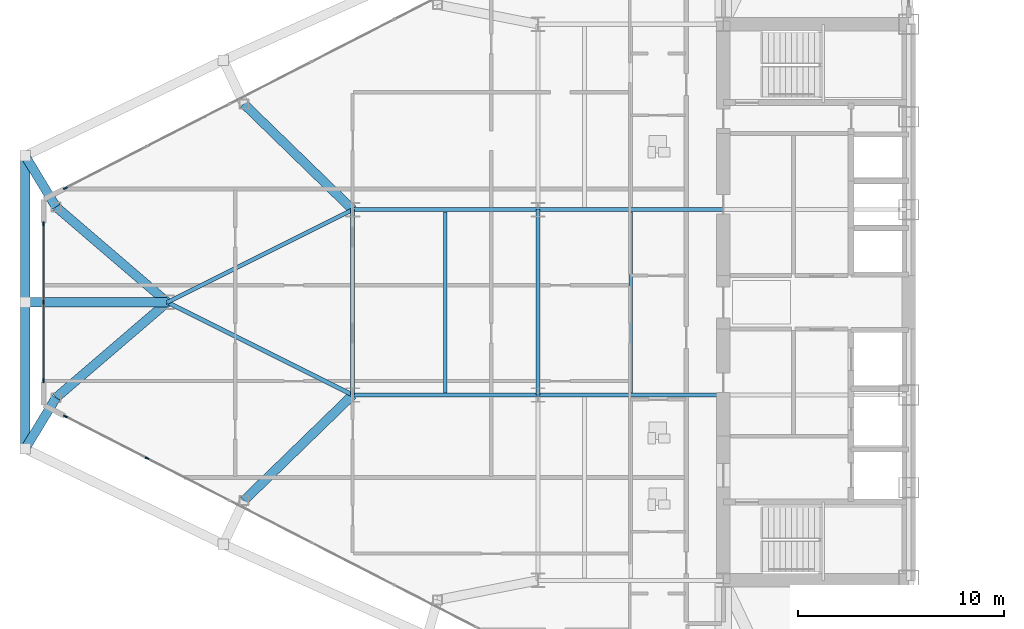
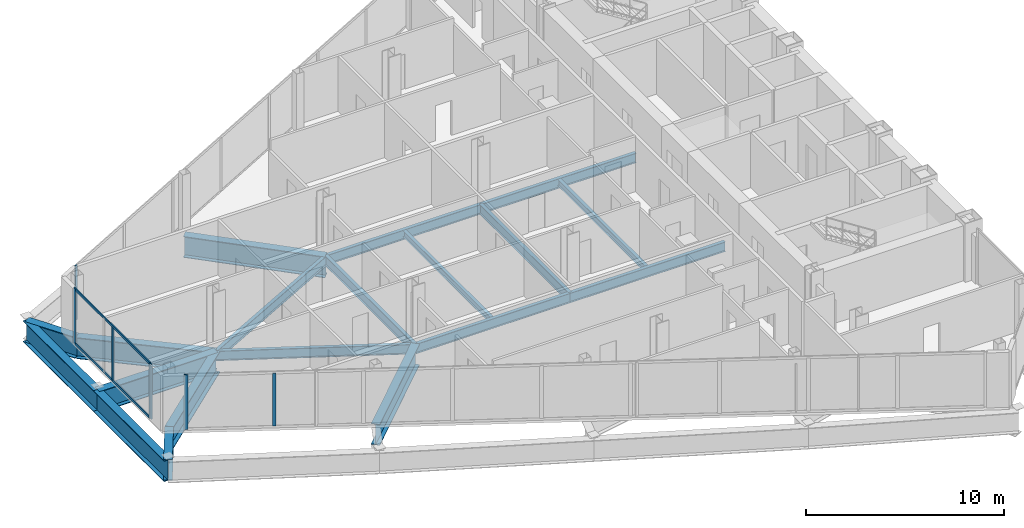
# One storey, part 5 of 28: 19 beams, 8 members, 3 elements without a shape of their own.
"""IFC4 building model written with IfcOpenShell, lengths in metres."""

from ifc_helpers import new_model, si_unit, direction, frame, origin, origin_2d, place, context, subcontext, project, spatial, rectangle, i_section, extrude, source, transform, mapped, material, layer, layer_set, material_profile, profile_set, type_object, type_shapes, element, aggregate, save


model = new_model("IFC4")

# Units and contexts
model_context = context("Model", 3, precision=1e-05, world=origin(), true_north=direction((0.0, 1.0)))
body_context = subcontext(model_context, "Body", "Model", "MODEL_VIEW")
ifc_project = project(units=[si_unit("LENGTHUNIT", "METRE"), si_unit("AREAUNIT", "SQUARE_METRE"), si_unit("VOLUMEUNIT", "CUBIC_METRE"), si_unit("PLANEANGLEUNIT", "RADIAN"), si_unit("MASSUNIT", "GRAM", prefix="KILO")], contexts=[model_context])

# Site, building, storey
site_placement = place(None, origin())
site = spatial("IfcSite", under=ifc_project, at=site_placement, CompositionType="ELEMENT")
building_placement = place(site_placement, origin())
building = spatial("IfcBuilding", under=site, at=building_placement, Name="Seokmaru Belvedere", CompositionType="ELEMENT")
storey_placement = place(building_placement, frame((0.0, 0.0, 110.39990234375)))
storey = spatial("IfcBuildingStorey", under=building, at=storey_placement, Name="L29", CompositionType="ELEMENT", Elevation=110.39990234375)

# Beams
ifc_material_1 = material(Name="Steel HSA650 (650 MPa)", Category="steel")
ifc_material_profile_1 = material_profile(ifc_material_1, i_section(OverallWidth=0.449951171875, OverallDepth=1.300048828125, WebThickness=0.02197265625, FlangeThickness=0.0380859375, at=origin_2d()), Name="BH-1300x450x22x38")
ifc_profile_set_1 = profile_set([ifc_material_profile_1], Name="Steel HSA650 (650 MPa)")
beam_type_1 = type_object("IfcBeamType", Name="Observatory Long-Span Roof Girder BH-1300", PredefinedType="BEAM", material=ifc_profile_set_1)
shared_shape_1 = source(origin(), body_context, "Body", "SweptSolid", [
    extrude(i_section(OverallWidth=0.449951171875, OverallDepth=1.300048828125, WebThickness=0.02197265625, FlangeThickness=0.0380859375, at=origin_2d()), origin(), (0.0, 0.0, 1.0), 6.89990234375),
])
beam_placement = place(storey_placement, frame((-70.39990234375, 0.0, -0.869873046875), z_axis=(1.0, 0.0, 0.0), x_axis=(0.0, 1.0, 0.0)))
element("IfcBeam", 1, at=beam_placement, inside=storey, type_object=beam_type_1, Name="L29 Apex Mid Cap Girder", PredefinedType="BEAM", context=body_context, shape_type="MappedRepresentation", body=[
    mapped(shared_shape_1, transform((0.0, 0.0, 0.0), scale=1.0)),
])
ifc_material_2 = material(Name="Steel SM355 (355 MPa)", Category="steel")
ifc_material_profile_2 = material_profile(ifc_material_2, i_section(OverallWidth=0.199951171875, OverallDepth=0.60009765625, WebThickness=0.010986328125, FlangeThickness=0.01708984375, at=origin_2d()), Name="H-600x200x11x17")
ifc_profile_set_2 = profile_set([ifc_material_profile_2], Name="Steel SM355 (355 MPa)")
beam_type_2 = type_object("IfcBeamType", Name="Primary Floor Girder H-600", PredefinedType="BEAM", material=ifc_profile_set_2)
shared_shape_2 = source(origin(), body_context, "Body", "SweptSolid", [
    extrude(i_section(OverallWidth=0.199951171875, OverallDepth=0.60009765625, WebThickness=0.010986328125, FlangeThickness=0.01708984375, at=origin_2d()), origin(), (0.0, 0.0, 1.0), 9.0),
])
for number, where, z_axis, x_axis, name in (
    (2, (-45.5, -4.5, -0.52001953125), (0.0, 1.0, 0.0), (-1.0, 0.0, 0.0), "L29 W Interior Grid Girder 2"),
    (3, (-45.5, -4.5, -0.52001953125), (1.0, 0.0, 0.0), (0.0, 1.0, 0.0), "L29 W Wing Primary Girder 2"),
    (4, (-45.5, 4.5, -0.52001953125), (1.0, 0.0, 0.0), (0.0, 1.0, 0.0), "L29 W Wing Primary Girder 3"),
    (5, (-54.5, -4.5, -0.52001953125), (1.0, 0.0, 0.0), (0.0, 1.0, 0.0), "L29 W Outer Wing Girder 1"),
    (6, (-54.5, 4.5, -0.52001953125), (1.0, 0.0, 0.0), (0.0, 1.0, 0.0), "L29 W Outer Wing Girder 2"),
    (7, (-54.5, -4.5, -0.52001953125), (0.0, 1.0, 0.0), (-1.0, 0.0, 0.0), "L29 W Apex Frame Girder"),
):
    element("IfcBeam", number, at=place(storey_placement, frame(where, z_axis=z_axis, x_axis=x_axis)), inside=storey, type_object=beam_type_2, Name=name, PredefinedType="BEAM", context=body_context, shape_type="MappedRepresentation", body=[
        mapped(shared_shape_2, transform((0.0, 0.0, 0.0), scale=1.0)),
    ])
shared_shape_3 = source(origin(), body_context, "Body", "SweptSolid", [
    extrude(i_section(OverallWidth=0.199951171875, OverallDepth=0.60009765625, WebThickness=0.010986328125, FlangeThickness=0.01708984375, at=origin_2d()), origin(), (0.0, 0.0, 1.0), 10.062255859375),
])
type_shapes(beam_type_2, [shared_shape_2, shared_shape_3])
for number, where, z_axis, x_axis, name in (
    (8, (-54.5, -4.5, -0.52001953125), (-0.894427191, 0.4472135955, 0.0), (-0.4472135955, -0.894427191, 0.0), "L29 W Apex Converging Girder 1"),
    (9, (-54.5, 4.5, -0.52001953125), (-0.894427191, -0.4472135955, 0.0), (0.4472135955, -0.894427191, 0.0), "L29 W Apex Converging Girder 2"),
):
    element("IfcBeam", number, at=place(storey_placement, frame(where, z_axis=z_axis, x_axis=x_axis)), inside=storey, type_object=beam_type_2, Name=name, PredefinedType="BEAM", context=body_context, shape_type="MappedRepresentation", body=[
        mapped(shared_shape_3, transform((0.0, 0.0, 0.0), scale=1.0)),
    ])
ifc_material_profile_3 = material_profile(ifc_material_2, i_section(OverallWidth=0.18505859375, OverallDepth=0.389892578125, WebThickness=0.008056640625, FlangeThickness=0.011962890625, at=origin_2d()), Name="H-390x185x8x12")
ifc_profile_set_3 = profile_set([ifc_material_profile_3], Name="Steel SM355 (355 MPa)")
beam_type_3 = type_object("IfcBeamType", Name="Secondary Floor Joist H-350", PredefinedType="JOIST", material=ifc_profile_set_3)
shared_shape_4 = source(origin(), body_context, "Body", "SweptSolid", [
    extrude(i_section(OverallWidth=0.18505859375, OverallDepth=0.389892578125, WebThickness=0.008056640625, FlangeThickness=0.011962890625, at=origin_2d()), origin(), (0.0, 0.0, 1.0), 8.7900390625),
])
type_shapes(beam_type_3, [shared_shape_4])
for number, where, z_axis, x_axis, name in (
    (10, (-41.0, -4.39501953125, -0.414794921875), (0.0, 1.0, 0.0), (-1.0, 0.0, 0.0), "L29 W Secondary Floor Joist 2"),
    (11, (-50.0, -4.39501953125, -0.414794921875), (0.0, 1.0, 0.0), (-1.0, 0.0, 0.0), "L29 W Outer Bay Secondary Joist"),
):
    element("IfcBeam", number, at=place(storey_placement, frame(where, z_axis=z_axis, x_axis=x_axis)), inside=storey, type_object=beam_type_3, Name=name, PredefinedType="JOIST", context=body_context, shape_type="MappedRepresentation", body=[
        mapped(shared_shape_4, transform((0.0, 0.0, 0.0), scale=1.0)),
    ])
shared_shape_5 = source(origin(), body_context, "Body", "SweptSolid", [
    extrude(i_section(OverallWidth=0.449951171875, OverallDepth=1.300048828125, WebThickness=0.02197265625, FlangeThickness=0.0380859375, at=origin_2d()), origin(), (0.0, 0.0, 1.0), 7.112060546875),
])
for number, where, z_axis, x_axis, name in (
    (12, (-70.39990234375, -7.112060546875, -0.869873046875), (0.0, 1.0, 0.0), (-1.0, 0.0, 0.0), "L29 W Faceted Apex Spandrel S"),
    (13, (-70.39990234375, 0.0, -0.869873046875), (0.0, 1.0, 0.0), (-1.0, 0.0, 0.0), "L29 W Faceted Apex Spandrel N"),
):
    element("IfcBeam", number, at=place(storey_placement, frame(where, z_axis=z_axis, x_axis=x_axis)), inside=storey, type_object=beam_type_1, Name=name, PredefinedType="BEAM", context=body_context, shape_type="MappedRepresentation", body=[
        mapped(shared_shape_5, transform((0.0, 0.0, 0.0), scale=1.0)),
    ])
shared_shape_6 = source(origin(), body_context, "Body", "SweptSolid", [
    extrude(i_section(OverallWidth=0.449951171875, OverallDepth=1.300048828125, WebThickness=0.02197265625, FlangeThickness=0.0380859375, at=origin_2d()), origin(), (0.0, 0.0, 1.0), 2.89697265625),
])
for number, where, z_axis, x_axis, name in (
    (14, (-70.39990234375, 7.112060546875, -0.869873046875), (0.517763725218, -0.855523655341, 0.0), (0.855523655341, 0.517763725218, 0.0), "L29 W Setback Transfer Girder 4"),
    (15, (-70.39990234375, -7.112060546875, -0.869873046875), (0.517763725218, 0.855523655341, 0.0), (-0.855523655341, 0.517763725218, 0.0), "L29 W Setback Transfer Girder 5"),
):
    element("IfcBeam", number, at=place(storey_placement, frame(where, z_axis=z_axis, x_axis=x_axis)), inside=storey, type_object=beam_type_1, Name=name, PredefinedType="BEAM", context=body_context, shape_type="MappedRepresentation", body=[
        mapped(shared_shape_6, transform((0.0, 0.0, 0.0), scale=1.0)),
    ])
shared_shape_7 = source(origin(), body_context, "Body", "SweptSolid", [
    extrude(i_section(OverallWidth=0.449951171875, OverallDepth=1.300048828125, WebThickness=0.02197265625, FlangeThickness=0.0380859375, at=origin_2d()), origin(), (0.0, 0.0, 1.0), 7.115478515625),
])
for number, where, z_axis, x_axis, name in (
    (16, (-68.89990234375, 4.633544921875, -0.869873046875), (0.758905301881, -0.651201000289, 0.0), (0.651201000289, 0.758905301881, 0.0), "L29 W Apex Sanity Tie Girder 4"),
    (17, (-68.89990234375, -4.633544921875, -0.869873046875), (0.758905301881, 0.651201000289, 0.0), (-0.651201000289, 0.758905301881, 0.0), "L29 W Apex Sanity Tie Girder 5"),
):
    element("IfcBeam", number, at=place(storey_placement, frame(where, z_axis=z_axis, x_axis=x_axis)), inside=storey, type_object=beam_type_1, Name=name, PredefinedType="BEAM", context=body_context, shape_type="MappedRepresentation", body=[
        mapped(shared_shape_7, transform((0.0, 0.0, 0.0), scale=1.0)),
    ])
shared_shape_8 = source(origin(), body_context, "Body", "SweptSolid", [
    extrude(i_section(OverallWidth=0.449951171875, OverallDepth=1.300048828125, WebThickness=0.02197265625, FlangeThickness=0.0380859375, at=origin_2d()), origin(), (0.0, 0.0, 1.0), 7.35986328125),
])
type_shapes(beam_type_1, [shared_shape_1, shared_shape_5, shared_shape_6, shared_shape_7, shared_shape_8])
for number, where, z_axis, x_axis, name in (
    (18, (-59.778564453125, -9.62890625, -0.869873046875), (0.717200745515, 0.696866623273, 0.0), (-0.696866623273, 0.717200745515, 0.0), "L29 W Flank Setback Back-Span Girder S-3"),
    (19, (-59.778564453125, 9.62890625, -0.869873046875), (0.717200745515, -0.696866623273, 0.0), (0.696866623273, 0.717200745515, 0.0), "L29 W Flank Setback Back-Span Girder N-3"),
):
    element("IfcBeam", number, at=place(storey_placement, frame(where, z_axis=z_axis, x_axis=x_axis)), inside=storey, type_object=beam_type_1, Name=name, PredefinedType="BEAM", context=body_context, shape_type="MappedRepresentation", body=[
        mapped(shared_shape_8, transform((0.0, 0.0, 0.0), scale=1.0)),
    ])

# Curtain wall, member
ifc_material_3 = material(Name="Bronze Triple Insulating Glass", Category="glass")
ifc_layer = layer(ifc_material_3, 0.195068359375)
ifc_layer_set = layer_set([ifc_layer], Name="Bronze Triple Insulating Glass")
curtain_wall_type = type_object("IfcCurtainWallType", Name="Sky-Lobby and Mid-Rise Curtain Wall System CW-4", PredefinedType="NOTDEFINED", material=ifc_layer_set)
curtain_wall_1_placement = place(storey_placement, origin())
curtain_wall_1 = element("IfcCurtainWall", 20, at=curtain_wall_1_placement, inside=storey, type_object=curtain_wall_type, Name="L29 Curtain Wall WF3", PredefinedType="NOTDEFINED")
ifc_material_4 = material(Name="Anodised Bronze Aluminium", Category="aluminium")
ifc_material_profile_4 = material_profile(ifc_material_4, rectangle(XDim=0.070068359375, YDim=0.195068359375, at=origin_2d()), Name="CW-M-70x195")
ifc_profile_set_4 = profile_set([ifc_material_profile_4], Name="Anodised Bronze Aluminium")
member_type_1 = type_object("IfcMemberType", Name="Bronze Unitised Mullion 70x195", PredefinedType="MULLION", material=ifc_profile_set_4)
shared_shape_9 = source(origin(), body_context, "Body", "SweptSolid", [
    extrude(rectangle(XDim=0.070068359375, YDim=0.195068359375, at=origin_2d()), origin(), (0.0, 0.0, 1.0), 3.380126953125),
])
member_1_placement = place(storey_placement, frame((-68.44580078125, 5.541015625, 0.0), z_axis=(0.0, 0.0, 1.0), x_axis=(0.456554528263, -0.889695432562, 0.0)))
member_1 = element("IfcMember", 21, at=member_1_placement, type_object=member_type_1, Name="CW:L29:WF3 Mullion 10", PredefinedType="MULLION", context=body_context, shape_type="MappedRepresentation", body=[
    mapped(shared_shape_9, transform((0.0, 0.0, 0.0), scale=1.0)),
])
aggregate(curtain_wall_1, [member_1])

# Curtain wall, members
curtain_wall_2_placement = place(storey_placement, origin())
curtain_wall_2 = element("IfcCurtainWall", 22, at=curtain_wall_2_placement, inside=storey, type_object=curtain_wall_type, Name="L29 Curtain Wall WF4", PredefinedType="NOTDEFINED")
member_2_placement = place(storey_placement, frame((-69.5, 3.81494140625, 0.0), z_axis=(0.0, 0.0, 1.0), x_axis=(1.0, 0.0, 0.0)))
member_2 = element("IfcMember", 23, at=member_2_placement, type_object=member_type_1, Name="CW:L29:WF4 Mullion 1", PredefinedType="MULLION", context=body_context, shape_type="MappedRepresentation", body=[
    mapped(shared_shape_9, transform((0.0, 0.0, 0.0), scale=1.0)),
])
member_3_placement = place(storey_placement, frame((-69.5, -3.81494140625, 0.0), z_axis=(0.0, 0.0, 1.0), x_axis=(1.0, 0.0, 0.0)))
member_3 = element("IfcMember", 24, at=member_3_placement, type_object=member_type_1, Name="CW:L29:WF4 Mullion 3", PredefinedType="MULLION", context=body_context, shape_type="MappedRepresentation", body=[
    mapped(shared_shape_9, transform((0.0, 0.0, 0.0), scale=1.0)),
])

# Curtain wall, member
curtain_wall_3_placement = place(storey_placement, origin())
curtain_wall_3 = element("IfcCurtainWall", 25, at=curtain_wall_3_placement, inside=storey, type_object=curtain_wall_type, Name="L29 Curtain Wall WF5", PredefinedType="NOTDEFINED")
member_4_placement = place(storey_placement, frame((-68.44580078125, -5.541015625, 0.0), z_axis=(0.0, 0.0, 1.0), x_axis=(0.456554528263, 0.889695432562, 0.0)))
member_4 = element("IfcMember", 26, at=member_4_placement, type_object=member_type_1, Name="CW:L29:WF5 Mullion 1", PredefinedType="MULLION", context=body_context, shape_type="MappedRepresentation", body=[
    mapped(shared_shape_9, transform((0.0, 0.0, 0.0), scale=1.0)),
])

# Member
shared_shape_10 = source(origin(), body_context, "Body", "SweptSolid", [
    extrude(rectangle(XDim=0.070068359375, YDim=0.195068359375, at=origin_2d()), origin(), (0.0, 0.0, 1.0), 3.25),
])
type_shapes(member_type_1, [shared_shape_9, shared_shape_10])
member_5_placement = place(storey_placement, frame((-69.5, 0.0, 0.065185546875), z_axis=(0.0, 0.0, 1.0), x_axis=(1.0, 0.0, 0.0)))
member_5 = element("IfcMember", 27, at=member_5_placement, type_object=member_type_1, Name="CW:L29:WF4 Mullion 2", PredefinedType="MULLION", context=body_context, shape_type="MappedRepresentation", body=[
    mapped(shared_shape_10, transform((0.0, 0.0, 0.0), scale=1.0)),
])

member_6_placement = place(storey_placement, frame((-64.48193359375, -7.574951171875, 0.065185546875), z_axis=(0.0, 0.0, 1.0), x_axis=(0.456554528263, 0.889695432562, 0.0)))
member_6 = element("IfcMember", 28, at=member_6_placement, type_object=member_type_1, Name="CW:L29:WF5 Mullion 2", PredefinedType="MULLION", context=body_context, shape_type="MappedRepresentation", body=[
    mapped(shared_shape_10, transform((0.0, 0.0, 0.0), scale=1.0)),
])

aggregate(curtain_wall_3, [member_4, member_6])

ifc_material_profile_5 = material_profile(ifc_material_4, rectangle(XDim=0.06494140625, YDim=0.14990234375, at=origin_2d()), Name="CW-T-65x150")
ifc_profile_set_5 = profile_set([ifc_material_profile_5], Name="Anodised Bronze Aluminium")
member_type_2 = type_object("IfcMemberType", Name="Bronze Unitised Transom 65x150", PredefinedType="USERDEFINED", material=ifc_profile_set_5)
shared_shape_11 = source(origin(), body_context, "Body", "SweptSolid", [
    extrude(rectangle(XDim=0.06494140625, YDim=0.14990234375, at=origin_2d()), origin(), (0.0, 0.0, 1.0), 7.56005859375),
])
type_shapes(member_type_2, [shared_shape_11])
member_7_placement = place(storey_placement, frame((-69.5, 3.780029296875, 0.03271484375), z_axis=(0.0, -1.0, 0.0), x_axis=(1.0, 0.0, 0.0)))
member_7 = element("IfcMember", 29, at=member_7_placement, type_object=member_type_2, Name="CW:L29:WF4 Continuous Transom 1", ObjectType="TRANSOM", PredefinedType="USERDEFINED", context=body_context, shape_type="MappedRepresentation", body=[
    mapped(shared_shape_11, transform((0.0, 0.0, 0.0), scale=1.0)),
])

member_8_placement = place(storey_placement, frame((-69.5, 3.780029296875, 3.34765625), z_axis=(0.0, -1.0, 0.0), x_axis=(1.0, 0.0, 0.0)))
member_8 = element("IfcMember", 30, at=member_8_placement, type_object=member_type_2, Name="CW:L29:WF4 Continuous Transom 2", ObjectType="TRANSOM", PredefinedType="USERDEFINED", context=body_context, shape_type="MappedRepresentation", body=[
    mapped(shared_shape_11, transform((0.0, 0.0, 0.0), scale=1.0)),
])

aggregate(curtain_wall_2, [member_2, member_5, member_3, member_7, member_8])

save(model, "model.ifc")
